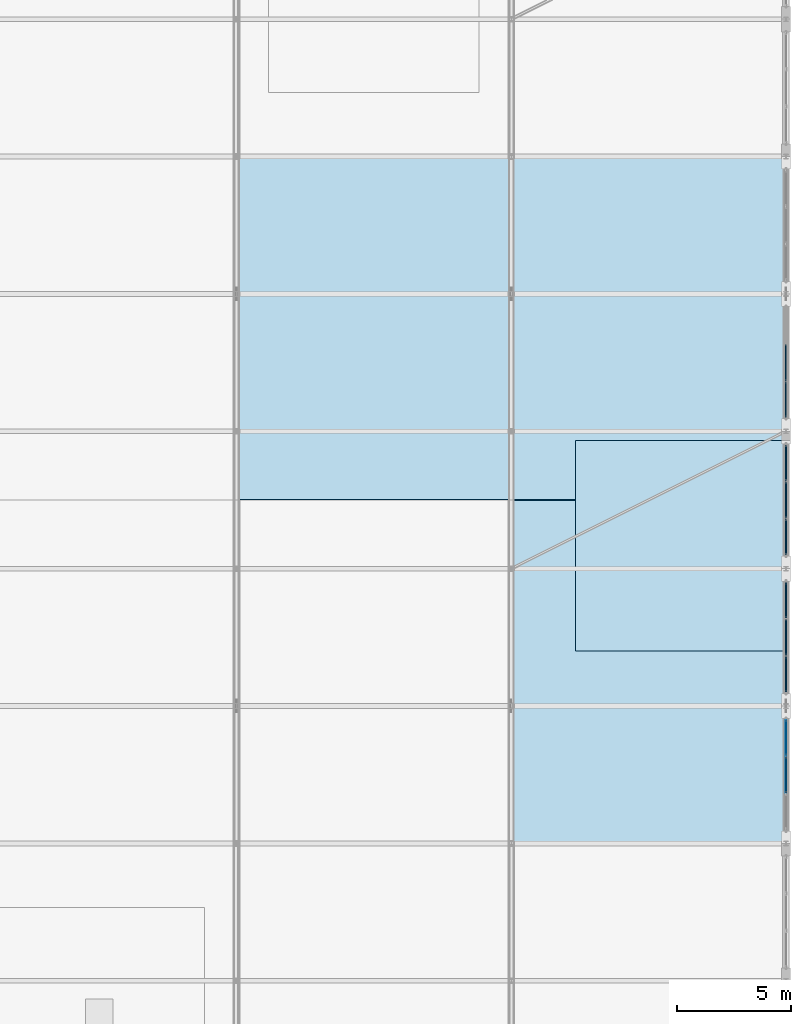
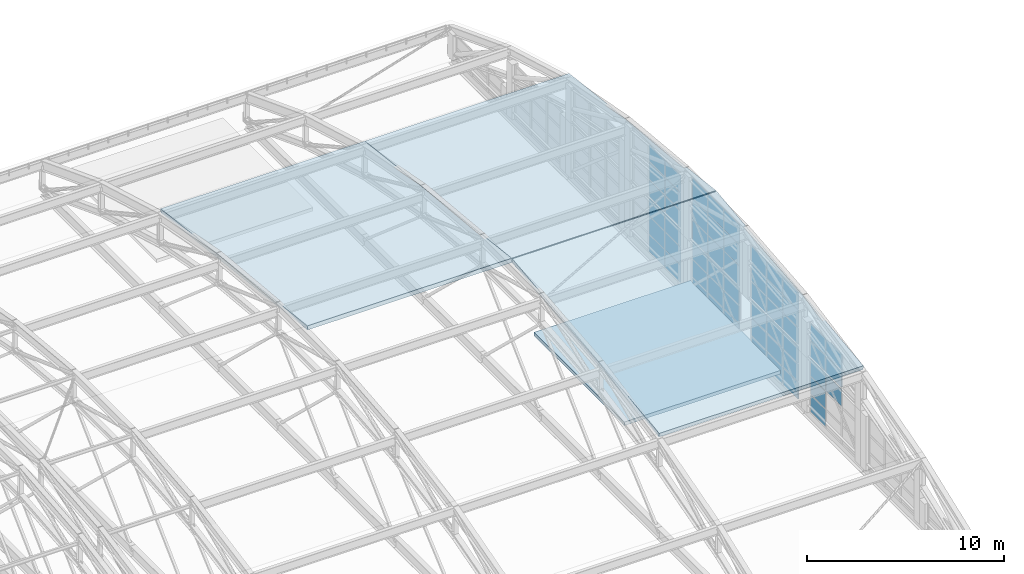
# One storey, part 164 of 204: 56 plates, 4 slabs, 9 elements without a shape of their own.
"""IFC4 building model written with IfcOpenShell, lengths in metres."""

import ifcopenshell
import ifcopenshell.guid

model = None  # the IFC model being written
_history = None  # IfcOwnerHistory: only IFC2X3 demands one
_inside = {}  # id of a spatial element -> (the spatial element, [elements in it])
_under = {}  # id of a project, library or spatial element -> (it, [spatial elements below it])
_declared = {}  # id of a project -> (the project, [libraries it declares])
_typed = {}  # id of a type object -> (the type object, [elements of that type])
_made_of = {}  # id of a material, layer set ... -> (it, [elements and type objects made of it])


def new_model(schema):
    """Start an empty IFC model of exactly this schema.

    Asked for "IFC4X3", IfcOpenShell would pick the latest addendum, in which some entities
    have other attributes; the version numbers below select the first issue.
    IFC2X3 requires an IfcOwnerHistory on every rooted entity: one is made here for all.
    """
    global model, _history
    if schema == "IFC4X3":
        model = ifcopenshell.file(schema_version=(4, 3, 0, 0))
    else:
        model = ifcopenshell.file(schema=schema)
    _inside.clear()
    _under.clear()
    _declared.clear()
    _typed.clear()
    _made_of.clear()
    _history = None
    if model.schema == "IFC2X3":
        org = make("IfcOrganization", Name="unknown")
        user = make(
            "IfcPersonAndOrganization",
            ThePerson=make("IfcPerson", FamilyName="unknown"),
            TheOrganization=org,
        )
        app = make(
            "IfcApplication",
            ApplicationDeveloper=org,
            Version="unknown",
            ApplicationFullName="unknown",
            ApplicationIdentifier="unknown",
        )
        _history = make(
            "IfcOwnerHistory",
            OwningUser=user,
            OwningApplication=app,
            ChangeAction="ADDED",
            CreationDate=0,
        )
    return model


def make(cls, **values):
    """One entity of the class cls with the attributes given. An attribute that is None is left unset."""
    return model.create_entity(
        cls, **{name: value for name, value in values.items() if value is not None}
    )


def rooted(cls, **values):
    """An entity with a GlobalId (a new one), such as an element, a storey or a relation."""
    return make(cls, GlobalId=ifcopenshell.guid.new(), OwnerHistory=_history, **values)


def si_unit(unit_type, name, prefix=None):
    """IfcSIUnit, for example si_unit("LENGTHUNIT", "METRE", prefix="MILLI")."""
    return make("IfcSIUnit", UnitType=unit_type, Prefix=prefix, Name=name)


def assignment(units):
    """IfcUnitAssignment: the units of a project."""
    return None if units is None else make("IfcUnitAssignment", Units=units)


def point(xyz):
    """IfcCartesianPoint."""
    return None if xyz is None else make("IfcCartesianPoint", Coordinates=xyz)


def direction(xyz):
    """IfcDirection."""
    return None if xyz is None else make("IfcDirection", DirectionRatios=xyz)


def frame(location, z_axis=None, x_axis=None):
    """IfcAxis2Placement3D, a coordinate frame: its origin and axes. An axis left out is left unset."""
    return make(
        "IfcAxis2Placement3D",
        Location=point(location),
        Axis=direction(z_axis),
        RefDirection=direction(x_axis),
    )


def frame_2d(location, x_axis=None):
    """IfcAxis2Placement2D, a coordinate frame in the plane: its origin and x axis."""
    return make(
        "IfcAxis2Placement2D", Location=point(location), RefDirection=direction(x_axis)
    )


def origin():
    """The frame at (0, 0, 0) with its axes left unset."""
    return frame((0.0, 0.0, 0.0))


def origin_2d():
    """The frame at (0, 0) in the plane with its x axis left unset."""
    return frame_2d((0.0, 0.0))


def place(relative_to, where):
    """IfcLocalPlacement: puts the frame where relative to a parent placement (None: the world)."""
    return make(
        "IfcLocalPlacement", PlacementRelTo=relative_to, RelativePlacement=where
    )


def context(
    kind, dimensions, precision=None, world=None, true_north=None, identifier=None
):
    """IfcGeometricRepresentationContext, for example the 3D "Model" context."""
    return make(
        "IfcGeometricRepresentationContext",
        ContextIdentifier=identifier,
        ContextType=kind,
        CoordinateSpaceDimension=dimensions,
        Precision=precision,
        WorldCoordinateSystem=world,
        TrueNorth=true_north,
    )


def subcontext(parent, identifier, kind, view, scale=None):
    """IfcGeometricRepresentationSubContext, for example "Body" below "Model"."""
    return make(
        "IfcGeometricRepresentationSubContext",
        ContextIdentifier=identifier,
        ContextType=kind,
        ParentContext=parent,
        TargetScale=scale,
        TargetView=view,
    )


def project(units=None, contexts=None):
    """IfcProject with its units and contexts."""
    return rooted(
        "IfcProject",
        Name="project",
        RepresentationContexts=contexts,
        UnitsInContext=assignment(units),
    )


def spatial(cls, under=None, at=None, **own):
    """A site, building, storey or space (cls), placed at a placement, below another one or the project."""
    s = rooted(cls, ObjectPlacement=at, **own)
    if under is not None:
        _under.setdefault(under.id(), (under, []))[1].append(s)
    return s


def polyline(points):
    """IfcPolyline through the points."""
    return make("IfcPolyline", Points=[point(p) for p in points])


def profile(cls, at=None, kind="AREA", **sizes):
    """A parametric profile (cls). Its sizes go by their IFC names, for example OverallWidth=200.0."""
    return make(cls, ProfileType=kind, Position=at, **sizes)


def rectangle(**sizes):
    """IfcRectangleProfileDef."""
    return profile("IfcRectangleProfileDef", **sizes)


def outline(outer, holes=None, kind="AREA"):
    """IfcArbitraryClosedProfileDef: a profile drawn as a closed curve; with holes, ...WithVoids."""
    if holes is None:
        return make("IfcArbitraryClosedProfileDef", ProfileType=kind, OuterCurve=outer)
    return make(
        "IfcArbitraryProfileDefWithVoids",
        ProfileType=kind,
        OuterCurve=outer,
        InnerCurves=holes,
    )


def extrude(swept, where, along, depth):
    """IfcExtrudedAreaSolid: the profile swept, set in the frame where, extruded along a direction by depth."""
    return make(
        "IfcExtrudedAreaSolid",
        SweptArea=swept,
        Position=where,
        ExtrudedDirection=direction(along),
        Depth=depth,
    )


def shape(context_of_items, identifier, shape_type, items):
    """IfcShapeRepresentation: the items that make up one representation, for example the "Body"."""
    return make(
        "IfcShapeRepresentation",
        ContextOfItems=context_of_items,
        RepresentationIdentifier=identifier,
        RepresentationType=shape_type,
        Items=items,
    )


def material(Name=None, Category=None):
    """IfcMaterial."""
    return make("IfcMaterial", Name=Name, Category=Category)


def layer(
    of_material, thickness, ventilated=None, Name=None, Category=None, Priority=None
):
    """IfcMaterialLayer: one layer of a wall or slab, of a material (None: an air gap)."""
    return make(
        "IfcMaterialLayer",
        Material=of_material,
        LayerThickness=thickness,
        IsVentilated=ventilated,
        Name=Name,
        Category=Category,
        Priority=Priority,
    )


def layer_set(layers, Name=None):
    """IfcMaterialLayerSet."""
    return make("IfcMaterialLayerSet", MaterialLayers=layers, LayerSetName=Name)


def made_of(thing, what):
    """Note that an element or type object is made of a material, layer set ...; save() writes the relation."""
    if what is not None:
        _made_of.setdefault(what.id(), (what, []))[1].append(thing)
    return thing


def type_object(cls, material=None, **own):
    """A type object (cls), such as IfcWallType, which elements share."""
    return made_of(rooted(cls, **own), material)


def element(
    cls,
    number,
    at=None,
    inside=None,
    cuts=None,
    type_object=None,
    material=None,
    context=None,
    identifier="Body",
    shape_type=None,
    held_by="IfcProductDefinitionShape",
    body=None,
    shapes=None,
    **own,
):
    """One element of the class cls, such as IfcWall. Its Tag is "e" and its number.

    at: its placement. inside: the storey or other place that contains it. cuts: it is an
    opening in that element (IfcRelVoidsElement). A single representation is given by context,
    identifier, shape_type and body (its items); several are given by shapes. held_by: the class
    of the entity that holds the representations. save() writes the other relations.
    """
    e = rooted(cls, Tag="e%d" % number, ObjectPlacement=at, **own)
    if body is not None:
        shapes = [shape(context, identifier, shape_type, body)]
    if shapes is not None:
        e.Representation = make(held_by, Representations=shapes)
    if inside is not None:
        _inside.setdefault(inside.id(), (inside, []))[1].append(e)
    if cuts is not None:
        rooted(
            "IfcRelVoidsElement", RelatingBuildingElement=cuts, RelatedOpeningElement=e
        )
    if type_object is not None:
        _typed.setdefault(type_object.id(), (type_object, []))[1].append(e)
    return made_of(e, material)


def aggregate(whole, parts):
    """IfcRelAggregates: a whole, such as a stair, and the parts it consists of."""
    return rooted("IfcRelAggregates", RelatingObject=whole, RelatedObjects=parts)


def save(model, path):
    """Write the relations noted so far, then the file.

    IfcRelAggregates (storeys below a building ...), IfcRelContainedInSpatialStructure (elements
    in a storey), IfcRelDefinesByType, IfcRelAssociatesMaterial and IfcRelDeclares: one each for
    every whole, place, type object, material and project.
    """
    for whole, parts in _under.values():
        aggregate(whole, parts)
    for where, things in _inside.values():
        rooted(
            "IfcRelContainedInSpatialStructure",
            RelatedElements=things,
            RelatingStructure=where,
        )
    for kind, things in _typed.values():
        rooted("IfcRelDefinesByType", RelatedObjects=things, RelatingType=kind)
    for what, things in _made_of.values():
        rooted("IfcRelAssociatesMaterial", RelatedObjects=things, RelatingMaterial=what)
    for by, libraries in _declared.values():
        rooted("IfcRelDeclares", RelatingContext=by, RelatedDefinitions=libraries)
    model.write(path)


model = new_model("IFC4")

# Units and contexts
model_context = context("Model", 3, precision=1e-05, world=origin(), true_north=direction((0.0, 1.0)))
body_context = subcontext(model_context, "Body", "Model", "MODEL_VIEW")
ifc_project = project(units=[si_unit("LENGTHUNIT", "METRE"), si_unit("AREAUNIT", "SQUARE_METRE"), si_unit("VOLUMEUNIT", "CUBIC_METRE"), si_unit("PLANEANGLEUNIT", "RADIAN"), si_unit("MASSUNIT", "GRAM", prefix="KILO")], contexts=[model_context])

# Site, building, storey
site_placement = place(None, origin())
site = spatial("IfcSite", under=ifc_project, at=site_placement, CompositionType="ELEMENT")
building_placement = place(site_placement, origin())
building = spatial("IfcBuilding", under=site, at=building_placement, Name="Zilviju Railside Exhibition Hall", CompositionType="ELEMENT")
storey_placement = place(building_placement, frame((0.0, 0.0, 21.0)))
storey = spatial("IfcBuildingStorey", under=building, at=storey_placement, Name="RF", CompositionType="ELEMENT", Elevation=21.0)

# Curtain wall, plates
ifc_material_1 = material(Name="Thermally broken aluminium-steel triple-glazed curtain wall", Category="steel")
ifc_layer_1 = layer(ifc_material_1, 0.179931640625)
ifc_layer_set_1 = layer_set([ifc_layer_1], Name="Thermally broken aluminium-steel triple-glazed curtain wall")
curtain_wall_type_1 = type_object("IfcCurtainWallType", Name="CW-BAY-15", PredefinedType="USERDEFINED", material=ifc_layer_set_1)
curtain_wall_1_placement = place(storey_placement, origin())
curtain_wall_1 = element("IfcCurtainWall", 1, at=curtain_wall_1_placement, inside=storey, type_object=curtain_wall_type_1, Name="North Hall Arch Lower Tympanum Glazing East P3", ObjectType="GLAZED CURTAIN WALL", PredefinedType="USERDEFINED")
ifc_material_2 = material(Name="Laminated acoustic double-glazed porch unit", Category="glass")
ifc_layer_2 = layer(ifc_material_2, 0.031982421875)
ifc_layer_set_2 = layer_set([ifc_layer_2], Name="Laminated acoustic double-glazed porch unit")
plate_type_1 = type_object("IfcPlateType", Name="CWP-IGU-32", PredefinedType="CURTAIN_PANEL", material=ifc_layer_set_2)
plate_1_placement = place(storey_placement, frame((216.0, 100.618408203125, -3.5400390625), z_axis=(0.0, 0.0, 1.0), x_axis=(0.0, -1.0, 0.0)))
plate_1 = element("IfcPlate", 2, at=plate_1_placement, type_object=plate_type_1, Name="CW-15 panel 1.1", PredefinedType="CURTAIN_PANEL", context=body_context, shape_type="SweptSolid", body=[
    extrude(rectangle(XDim=1.543212890625, YDim=0.031982421875, at=origin_2d()), origin(), (0.0, 0.0, 1.0), 1.04296875),
])
plate_2_placement = place(storey_placement, frame((216.0, 100.618408203125, -2.43701171875), z_axis=(0.0, 0.0, 1.0), x_axis=(0.0, -1.0, 0.0)))
plate_2 = element("IfcPlate", 3, at=plate_2_placement, type_object=plate_type_1, Name="CW-15 panel 1.2", PredefinedType="CURTAIN_PANEL", context=body_context, shape_type="SweptSolid", body=[
    extrude(rectangle(XDim=1.543212890625, YDim=0.031982421875, at=origin_2d()), origin(), (0.0, 0.0, 1.0), 1.073974609375),
])
plate_3_placement = place(storey_placement, frame((216.0, 100.618408203125, -1.302978515625), z_axis=(0.0, 0.0, 1.0), x_axis=(0.0, -1.0, 0.0)))
plate_3 = element("IfcPlate", 4, at=plate_3_placement, type_object=plate_type_1, Name="CW-15 panel 1.3", PredefinedType="CURTAIN_PANEL", context=body_context, shape_type="SweptSolid", body=[
    extrude(rectangle(XDim=1.543212890625, YDim=0.031982421875, at=origin_2d()), origin(), (0.0, 0.0, 1.0), 1.04296875),
])
plate_4_placement = place(storey_placement, frame((216.0, 99.0, -1.302978515625), z_axis=(0.0, 0.0, 1.0), x_axis=(0.0, -1.0, 0.0)))
plate_4 = element("IfcPlate", 5, at=plate_4_placement, type_object=plate_type_1, Name="CW-15 panel 2.3", PredefinedType="CURTAIN_PANEL", context=body_context, shape_type="SweptSolid", body=[
    extrude(rectangle(XDim=1.5732421875, YDim=0.031982421875, at=origin_2d()), origin(), (0.0, 0.0, 1.0), 1.04296875),
])
aggregate(curtain_wall_1, [plate_1, plate_2, plate_3, plate_4])

ifc_layer_3 = layer(ifc_material_1, 0.179931640625)
ifc_layer_set_3 = layer_set([ifc_layer_3], Name="Thermally broken aluminium-steel triple-glazed curtain wall")
curtain_wall_type_2 = type_object("IfcCurtainWallType", Name="CW-BAY-18", PredefinedType="USERDEFINED", material=ifc_layer_set_3)
curtain_wall_2_placement = place(storey_placement, origin())
curtain_wall_2 = element("IfcCurtainWall", 6, at=curtain_wall_2_placement, inside=storey, type_object=curtain_wall_type_2, Name="North Hall Arch Lower Tympanum Glazing East P6", ObjectType="GLAZED CURTAIN WALL", PredefinedType="USERDEFINED")
ifc_material_3 = material(Name="Triple-glazed low-E argon insulating glass unit", Category="glass")
ifc_layer_4 = layer(ifc_material_3, 0.0439453125)
ifc_layer_set_4 = layer_set([ifc_layer_4], Name="Triple-glazed low-E argon insulating glass unit")
plate_type_2 = type_object("IfcPlateType", Name="CWP-IGU-44", PredefinedType="CURTAIN_PANEL", material=ifc_layer_set_4)
plate_5_placement = place(storey_placement, frame((216.0, 117.0, -3.544921875), z_axis=(0.0, 0.0, 1.0), x_axis=(0.0, -1.0, 0.0)))
plate_5 = element("IfcPlate", 7, at=plate_5_placement, type_object=plate_type_2, Name="CW-18 panel 2.1", PredefinedType="CURTAIN_PANEL", context=body_context, shape_type="SweptSolid", body=[
    extrude(rectangle(XDim=1.578369140625, YDim=0.0439453125, at=origin_2d()), origin(), (0.0, 0.0, 1.0), 1.050537109375),
])
plate_6_placement = place(storey_placement, frame((216.0, 117.0, -2.439453125), z_axis=(0.0, 0.0, 1.0), x_axis=(0.0, -1.0, 0.0)))
plate_6 = element("IfcPlate", 8, at=plate_6_placement, type_object=plate_type_2, Name="CW-18 panel 2.2", PredefinedType="CURTAIN_PANEL", context=body_context, shape_type="SweptSolid", body=[
    extrude(rectangle(XDim=1.578369140625, YDim=0.0439453125, at=origin_2d()), origin(), (0.0, 0.0, 1.0), 1.0791015625),
])
plate_7_placement = place(storey_placement, frame((216.0, 117.0, -1.3056640625), z_axis=(0.0, 0.0, 1.0), x_axis=(0.0, -1.0, 0.0)))
plate_7 = element("IfcPlate", 9, at=plate_7_placement, type_object=plate_type_2, Name="CW-18 panel 2.3", PredefinedType="CURTAIN_PANEL", context=body_context, shape_type="SweptSolid", body=[
    extrude(rectangle(XDim=1.578369140625, YDim=0.0439453125, at=origin_2d()), origin(), (0.0, 0.0, 1.0), 1.050537109375),
])
plate_8_placement = place(storey_placement, frame((216.0, 115.38037109375, -3.544921875), z_axis=(0.0, 0.0, 1.0), x_axis=(0.0, -1.0, 0.0)))
plate_8 = element("IfcPlate", 10, at=plate_8_placement, type_object=plate_type_2, Name="CW-18 panel 3.1", PredefinedType="CURTAIN_PANEL", context=body_context, shape_type="SweptSolid", body=[
    extrude(rectangle(XDim=1.55078125, YDim=0.0439453125, at=origin_2d()), origin(), (0.0, 0.0, 1.0), 1.050537109375),
])
plate_9_placement = place(storey_placement, frame((216.0, 115.38037109375, -2.439453125), z_axis=(0.0, 0.0, 1.0), x_axis=(0.0, -1.0, 0.0)))
plate_9 = element("IfcPlate", 11, at=plate_9_placement, type_object=plate_type_2, Name="CW-18 panel 3.2", PredefinedType="CURTAIN_PANEL", context=body_context, shape_type="SweptSolid", body=[
    extrude(rectangle(XDim=1.55078125, YDim=0.0439453125, at=origin_2d()), origin(), (0.0, 0.0, 1.0), 1.0791015625),
])
plate_10_placement = place(storey_placement, frame((216.0, 115.38037109375, -1.3056640625), z_axis=(0.0, 0.0, 1.0), x_axis=(0.0, -1.0, 0.0)))
plate_10 = element("IfcPlate", 12, at=plate_10_placement, type_object=plate_type_2, Name="CW-18 panel 3.3", PredefinedType="CURTAIN_PANEL", context=body_context, shape_type="SweptSolid", body=[
    extrude(rectangle(XDim=1.55078125, YDim=0.0439453125, at=origin_2d()), origin(), (0.0, 0.0, 1.0), 1.050537109375),
])
aggregate(curtain_wall_2, [plate_5, plate_6, plate_7, plate_8, plate_9, plate_10])

ifc_layer_5 = layer(ifc_material_1, 0.179931640625)
ifc_layer_set_5 = layer_set([ifc_layer_5], Name="Thermally broken aluminium-steel triple-glazed curtain wall")
curtain_wall_type_3 = type_object("IfcCurtainWallType", Name="CW-BAY-04", PredefinedType="USERDEFINED", material=ifc_layer_set_5)
curtain_wall_3_placement = place(storey_placement, origin())
curtain_wall_3 = element("IfcCurtainWall", 13, at=curtain_wall_3_placement, inside=storey, type_object=curtain_wall_type_3, Name="North Hall Crown Arch Tympanum Glazing East P5", ObjectType="GLAZED CURTAIN WALL", PredefinedType="USERDEFINED")
plate_11_placement = place(storey_placement, frame((216.0, 112.61962890625, -0.14501953125), z_axis=(0.0, 0.0, 1.0), x_axis=(0.0, -1.0, 0.0)))
plate_11 = element("IfcPlate", 14, at=plate_11_placement, type_object=plate_type_2, Name="CW-04 panel 1.1", PredefinedType="CURTAIN_PANEL", context=body_context, shape_type="SweptSolid", body=[
    extrude(rectangle(XDim=1.55078125, YDim=0.0439453125, at=origin_2d()), origin(), (0.0, 0.0, 1.0), 1.2265625),
])
plate_12_placement = place(storey_placement, frame((216.0, 112.61962890625, 1.136474609375), z_axis=(0.0, 0.0, 1.0), x_axis=(0.0, -1.0, 0.0)))
plate_12 = element("IfcPlate", 15, at=plate_12_placement, type_object=plate_type_2, Name="CW-04 panel 1.2", PredefinedType="CURTAIN_PANEL", context=body_context, shape_type="SweptSolid", body=[
    extrude(rectangle(XDim=1.55078125, YDim=0.0439453125, at=origin_2d()), origin(), (0.0, 0.0, 1.0), 1.2548828125),
])
plate_13_placement = place(storey_placement, frame((216.0, 112.61962890625, 2.44677734375), z_axis=(0.0, 0.0, 1.0), x_axis=(0.0, -1.0, 0.0)))
plate_13 = element("IfcPlate", 16, at=plate_13_placement, type_object=plate_type_2, Name="CW-04 panel 1.3", PredefinedType="CURTAIN_PANEL", context=body_context, shape_type="SweptSolid", body=[
    extrude(rectangle(XDim=1.55078125, YDim=0.0439453125, at=origin_2d()), origin(), (0.0, 0.0, 1.0), 1.226806640625),
])
plate_14_placement = place(storey_placement, frame((216.0, 111.0, -0.14501953125), z_axis=(0.0, 0.0, 1.0), x_axis=(0.0, -1.0, 0.0)))
plate_14 = element("IfcPlate", 17, at=plate_14_placement, type_object=plate_type_2, Name="CW-04 panel 2.1", PredefinedType="CURTAIN_PANEL", context=body_context, shape_type="SweptSolid", body=[
    extrude(rectangle(XDim=1.578369140625, YDim=0.0439453125, at=origin_2d()), origin(), (0.0, 0.0, 1.0), 1.2265625),
])
plate_15_placement = place(storey_placement, frame((216.0, 111.0, 1.136474609375), z_axis=(0.0, 0.0, 1.0), x_axis=(0.0, -1.0, 0.0)))
plate_15 = element("IfcPlate", 18, at=plate_15_placement, type_object=plate_type_2, Name="CW-04 panel 2.2", PredefinedType="CURTAIN_PANEL", context=body_context, shape_type="SweptSolid", body=[
    extrude(rectangle(XDim=1.578369140625, YDim=0.0439453125, at=origin_2d()), origin(), (0.0, 0.0, 1.0), 1.2548828125),
])
plate_16_placement = place(storey_placement, frame((216.0, 111.0, 2.44677734375), z_axis=(0.0, 0.0, 1.0), x_axis=(0.0, -1.0, 0.0)))
plate_16 = element("IfcPlate", 19, at=plate_16_placement, type_object=plate_type_2, Name="CW-04 panel 2.3", PredefinedType="CURTAIN_PANEL", context=body_context, shape_type="SweptSolid", body=[
    extrude(rectangle(XDim=1.578369140625, YDim=0.0439453125, at=origin_2d()), origin(), (0.0, 0.0, 1.0), 1.226806640625),
])
plate_17_placement = place(storey_placement, frame((216.0, 109.38037109375, -0.14501953125), z_axis=(0.0, 0.0, 1.0), x_axis=(0.0, -1.0, 0.0)))
plate_17 = element("IfcPlate", 20, at=plate_17_placement, type_object=plate_type_2, Name="CW-04 panel 3.1", PredefinedType="CURTAIN_PANEL", context=body_context, shape_type="SweptSolid", body=[
    extrude(rectangle(XDim=1.55078125, YDim=0.0439453125, at=origin_2d()), origin(), (0.0, 0.0, 1.0), 1.2265625),
])
plate_18_placement = place(storey_placement, frame((216.0, 109.38037109375, 1.136474609375), z_axis=(0.0, 0.0, 1.0), x_axis=(0.0, -1.0, 0.0)))
plate_18 = element("IfcPlate", 21, at=plate_18_placement, type_object=plate_type_2, Name="CW-04 panel 3.2", PredefinedType="CURTAIN_PANEL", context=body_context, shape_type="SweptSolid", body=[
    extrude(rectangle(XDim=1.55078125, YDim=0.0439453125, at=origin_2d()), origin(), (0.0, 0.0, 1.0), 1.2548828125),
])
plate_19_placement = place(storey_placement, frame((216.0, 109.38037109375, 2.44677734375), z_axis=(0.0, 0.0, 1.0), x_axis=(0.0, -1.0, 0.0)))
plate_19 = element("IfcPlate", 22, at=plate_19_placement, type_object=plate_type_2, Name="CW-04 panel 3.3", PredefinedType="CURTAIN_PANEL", context=body_context, shape_type="SweptSolid", body=[
    extrude(rectangle(XDim=1.55078125, YDim=0.0439453125, at=origin_2d()), origin(), (0.0, 0.0, 1.0), 1.226806640625),
])
aggregate(curtain_wall_3, [plate_11, plate_12, plate_13, plate_14, plate_15, plate_16, plate_17, plate_18, plate_19])

ifc_layer_6 = layer(ifc_material_1, 0.179931640625)
ifc_layer_set_6 = layer_set([ifc_layer_6], Name="Thermally broken aluminium-steel triple-glazed curtain wall")
curtain_wall_type_4 = type_object("IfcCurtainWallType", Name="CW-BAY-05", PredefinedType="USERDEFINED", material=ifc_layer_set_6)
curtain_wall_4_placement = place(storey_placement, origin())
curtain_wall_4 = element("IfcCurtainWall", 23, at=curtain_wall_4_placement, inside=storey, type_object=curtain_wall_type_4, Name="North Hall Crown Arch Tympanum Glazing East P6", ObjectType="GLAZED CURTAIN WALL", PredefinedType="USERDEFINED")
plate_20_placement = place(storey_placement, frame((216.0, 117.0, -0.1298828125), z_axis=(0.0, 0.0, 1.0), x_axis=(0.0, -1.0, 0.0)))
plate_20 = element("IfcPlate", 24, at=plate_20_placement, type_object=plate_type_2, Name="CW-05 panel 2.1", PredefinedType="CURTAIN_PANEL", context=body_context, shape_type="SweptSolid", body=[
    extrude(rectangle(XDim=1.563232421875, YDim=0.0439453125, at=origin_2d()), origin(), (0.0, 0.0, 1.0), 1.013916015625),
])
plate_21_placement = place(storey_placement, frame((216.0, 117.0, 0.9541015625), z_axis=(0.0, 0.0, 1.0), x_axis=(0.0, -1.0, 0.0)))
plate_21 = element("IfcPlate", 25, at=plate_21_placement, type_object=plate_type_2, Name="CW-05 panel 2.2", PredefinedType="CURTAIN_PANEL", context=body_context, shape_type="SweptSolid", body=[
    extrude(rectangle(XDim=1.563232421875, YDim=0.0439453125, at=origin_2d()), origin(), (0.0, 0.0, 1.0), 1.048095703125),
])
plate_22_placement = place(storey_placement, frame((216.0, 117.0, 2.072021484375), z_axis=(0.0, 0.0, 1.0), x_axis=(0.0, -1.0, 0.0)))
plate_22 = element("IfcPlate", 26, at=plate_22_placement, type_object=plate_type_2, Name="CW-05 panel 2.3", PredefinedType="CURTAIN_PANEL", context=body_context, shape_type="SweptSolid", body=[
    extrude(rectangle(XDim=1.563232421875, YDim=0.0439453125, at=origin_2d()), origin(), (0.0, 0.0, 1.0), 1.013671875),
])
plate_23_placement = place(storey_placement, frame((216.0, 115.38427734375, -0.1298828125), z_axis=(0.0, 0.0, 1.0), x_axis=(0.0, -1.0, 0.0)))
plate_23 = element("IfcPlate", 27, at=plate_23_placement, type_object=plate_type_2, Name="CW-05 panel 3.1", PredefinedType="CURTAIN_PANEL", context=body_context, shape_type="SweptSolid", body=[
    extrude(rectangle(XDim=1.5283203125, YDim=0.0439453125, at=origin_2d()), origin(), (0.0, 0.0, 1.0), 1.013916015625),
])
plate_24_placement = place(storey_placement, frame((216.0, 115.38427734375, 0.9541015625), z_axis=(0.0, 0.0, 1.0), x_axis=(0.0, -1.0, 0.0)))
plate_24 = element("IfcPlate", 28, at=plate_24_placement, type_object=plate_type_2, Name="CW-05 panel 3.2", PredefinedType="CURTAIN_PANEL", context=body_context, shape_type="SweptSolid", body=[
    extrude(rectangle(XDim=1.5283203125, YDim=0.0439453125, at=origin_2d()), origin(), (0.0, 0.0, 1.0), 1.048095703125),
])
plate_25_placement = place(storey_placement, frame((216.0, 115.38427734375, 2.072021484375), z_axis=(0.0, 0.0, 1.0), x_axis=(0.0, -1.0, 0.0)))
plate_25 = element("IfcPlate", 29, at=plate_25_placement, type_object=plate_type_2, Name="CW-05 panel 3.3", PredefinedType="CURTAIN_PANEL", context=body_context, shape_type="SweptSolid", body=[
    extrude(rectangle(XDim=1.5283203125, YDim=0.0439453125, at=origin_2d()), origin(), (0.0, 0.0, 1.0), 1.013671875),
])
aggregate(curtain_wall_4, [plate_20, plate_21, plate_22, plate_23, plate_24, plate_25])

ifc_layer_7 = layer(ifc_material_1, 0.179931640625)
ifc_layer_set_7 = layer_set([ifc_layer_7], Name="Thermally broken aluminium-steel triple-glazed curtain wall")
curtain_wall_type_5 = type_object("IfcCurtainWallType", Name="CW-BAY-16", PredefinedType="USERDEFINED", material=ifc_layer_set_7)
curtain_wall_5_placement = place(storey_placement, origin())
curtain_wall_5 = element("IfcCurtainWall", 30, at=curtain_wall_5_placement, inside=storey, type_object=curtain_wall_type_5, Name="North Hall Arch Lower Tympanum Glazing East P4", ObjectType="GLAZED CURTAIN WALL", PredefinedType="USERDEFINED")
ifc_material_4 = material(Name="Insulated cobalt-blue enamelled spandrel glass panel", Category="glass")
ifc_layer_8 = layer(ifc_material_4, 0.052001953125)
ifc_layer_set_8 = layer_set([ifc_layer_8], Name="Insulated cobalt-blue enamelled spandrel glass panel")
plate_type_3 = type_object("IfcPlateType", Name="CWP-SPD-52", PredefinedType="CURTAIN_PANEL", material=ifc_layer_set_8)
plate_26_placement = place(storey_placement, frame((216.0, 106.61328125, -3.52001953125), z_axis=(0.0, 0.0, 1.0), x_axis=(0.0, -1.0, 0.0)))
plate_26 = element("IfcPlate", 31, at=plate_26_placement, type_object=plate_type_3, Name="CW-16 panel 1.1", PredefinedType="CURTAIN_PANEL", context=body_context, shape_type="SweptSolid", body=[
    extrude(rectangle(XDim=1.513427734375, YDim=0.052001953125, at=origin_2d()), origin(), (0.0, 0.0, 1.0), 1.012939453125),
])
plate_27_placement = place(storey_placement, frame((216.0, 106.61328125, -2.4267578125), z_axis=(0.0, 0.0, 1.0), x_axis=(0.0, -1.0, 0.0)))
plate_27 = element("IfcPlate", 32, at=plate_27_placement, type_object=plate_type_3, Name="CW-16 panel 1.2", PredefinedType="CURTAIN_PANEL", context=body_context, shape_type="SweptSolid", body=[
    extrude(rectangle(XDim=1.513427734375, YDim=0.052001953125, at=origin_2d()), origin(), (0.0, 0.0, 1.0), 1.053955078125),
])
plate_28_placement = place(storey_placement, frame((216.0, 106.61328125, -1.29296875), z_axis=(0.0, 0.0, 1.0), x_axis=(0.0, -1.0, 0.0)))
plate_28 = element("IfcPlate", 33, at=plate_28_placement, type_object=plate_type_3, Name="CW-16 panel 1.3", PredefinedType="CURTAIN_PANEL", context=body_context, shape_type="SweptSolid", body=[
    extrude(rectangle(XDim=1.513427734375, YDim=0.052001953125, at=origin_2d()), origin(), (0.0, 0.0, 1.0), 1.012939453125),
])
plate_29_placement = place(storey_placement, frame((216.0, 105.0, -3.52001953125), z_axis=(0.0, 0.0, 1.0), x_axis=(0.0, -1.0, 0.0)))
plate_29 = element("IfcPlate", 34, at=plate_29_placement, type_object=plate_type_3, Name="CW-16 panel 2.1", PredefinedType="CURTAIN_PANEL", context=body_context, shape_type="SweptSolid", body=[
    extrude(rectangle(XDim=1.55322265625, YDim=0.052001953125, at=origin_2d()), origin(), (0.0, 0.0, 1.0), 1.012939453125),
])
plate_30_placement = place(storey_placement, frame((216.0, 105.0, -2.4267578125), z_axis=(0.0, 0.0, 1.0), x_axis=(0.0, -1.0, 0.0)))
plate_30 = element("IfcPlate", 35, at=plate_30_placement, type_object=plate_type_3, Name="CW-16 panel 2.2", PredefinedType="CURTAIN_PANEL", context=body_context, shape_type="SweptSolid", body=[
    extrude(rectangle(XDim=1.55322265625, YDim=0.052001953125, at=origin_2d()), origin(), (0.0, 0.0, 1.0), 1.053955078125),
])
plate_31_placement = place(storey_placement, frame((216.0, 105.0, -1.29296875), z_axis=(0.0, 0.0, 1.0), x_axis=(0.0, -1.0, 0.0)))
plate_31 = element("IfcPlate", 36, at=plate_31_placement, type_object=plate_type_3, Name="CW-16 panel 2.3", PredefinedType="CURTAIN_PANEL", context=body_context, shape_type="SweptSolid", body=[
    extrude(rectangle(XDim=1.55322265625, YDim=0.052001953125, at=origin_2d()), origin(), (0.0, 0.0, 1.0), 1.012939453125),
])
plate_32_placement = place(storey_placement, frame((216.0, 103.38671875, -3.52001953125), z_axis=(0.0, 0.0, 1.0), x_axis=(0.0, -1.0, 0.0)))
plate_32 = element("IfcPlate", 37, at=plate_32_placement, type_object=plate_type_3, Name="CW-16 panel 3.1", PredefinedType="CURTAIN_PANEL", context=body_context, shape_type="SweptSolid", body=[
    extrude(rectangle(XDim=1.513427734375, YDim=0.052001953125, at=origin_2d()), origin(), (0.0, 0.0, 1.0), 1.012939453125),
])
plate_33_placement = place(storey_placement, frame((216.0, 103.38671875, -2.4267578125), z_axis=(0.0, 0.0, 1.0), x_axis=(0.0, -1.0, 0.0)))
plate_33 = element("IfcPlate", 38, at=plate_33_placement, type_object=plate_type_3, Name="CW-16 panel 3.2", PredefinedType="CURTAIN_PANEL", context=body_context, shape_type="SweptSolid", body=[
    extrude(rectangle(XDim=1.513427734375, YDim=0.052001953125, at=origin_2d()), origin(), (0.0, 0.0, 1.0), 1.053955078125),
])
plate_34_placement = place(storey_placement, frame((216.0, 103.38671875, -1.29296875), z_axis=(0.0, 0.0, 1.0), x_axis=(0.0, -1.0, 0.0)))
plate_34 = element("IfcPlate", 39, at=plate_34_placement, type_object=plate_type_3, Name="CW-16 panel 3.3", PredefinedType="CURTAIN_PANEL", context=body_context, shape_type="SweptSolid", body=[
    extrude(rectangle(XDim=1.513427734375, YDim=0.052001953125, at=origin_2d()), origin(), (0.0, 0.0, 1.0), 1.012939453125),
])
aggregate(curtain_wall_5, [plate_26, plate_27, plate_28, plate_29, plate_30, plate_31, plate_32, plate_33, plate_34])

ifc_layer_9 = layer(ifc_material_1, 0.179931640625)
ifc_layer_set_9 = layer_set([ifc_layer_9], Name="Thermally broken aluminium-steel triple-glazed curtain wall")
curtain_wall_type_6 = type_object("IfcCurtainWallType", Name="CW-BAY-02", PredefinedType="USERDEFINED", material=ifc_layer_set_9)
curtain_wall_6_placement = place(storey_placement, origin())
curtain_wall_6 = element("IfcCurtainWall", 40, at=curtain_wall_6_placement, inside=storey, type_object=curtain_wall_type_6, Name="North Hall Crown Arch Tympanum Glazing East P3", ObjectType="GLAZED CURTAIN WALL", PredefinedType="USERDEFINED")
plate_35_placement = place(storey_placement, frame((216.0, 100.61328125, -0.1201171875), z_axis=(0.0, 0.0, 1.0), x_axis=(0.0, -1.0, 0.0)))
plate_35 = element("IfcPlate", 41, at=plate_35_placement, type_object=plate_type_3, Name="CW-02 panel 1.1", PredefinedType="CURTAIN_PANEL", context=body_context, shape_type="SweptSolid", body=[
    extrude(rectangle(XDim=1.513427734375, YDim=0.052001953125, at=origin_2d()), origin(), (0.0, 0.0, 1.0), 0.985107421875),
])
plate_36_placement = place(storey_placement, frame((216.0, 100.61328125, 0.945068359375), z_axis=(0.0, 0.0, 1.0), x_axis=(0.0, -1.0, 0.0)))
plate_36 = element("IfcPlate", 42, at=plate_36_placement, type_object=plate_type_3, Name="CW-02 panel 1.2", PredefinedType="CURTAIN_PANEL", context=body_context, shape_type="SweptSolid", body=[
    extrude(rectangle(XDim=1.513427734375, YDim=0.052001953125, at=origin_2d()), origin(), (0.0, 0.0, 1.0), 0.98486328125),
])
plate_37_placement = place(storey_placement, frame((216.0, 99.0, -0.1201171875), z_axis=(0.0, 0.0, 1.0), x_axis=(0.0, -1.0, 0.0)))
plate_37 = element("IfcPlate", 43, at=plate_37_placement, type_object=plate_type_3, Name="CW-02 panel 2.1", PredefinedType="CURTAIN_PANEL", context=body_context, shape_type="SweptSolid", body=[
    extrude(rectangle(XDim=1.55322265625, YDim=0.052001953125, at=origin_2d()), origin(), (0.0, 0.0, 1.0), 0.985107421875),
])
plate_38_placement = place(storey_placement, frame((216.0, 99.0, 0.945068359375), z_axis=(0.0, 0.0, 1.0), x_axis=(0.0, -1.0, 0.0)))
plate_38 = element("IfcPlate", 44, at=plate_38_placement, type_object=plate_type_3, Name="CW-02 panel 2.2", PredefinedType="CURTAIN_PANEL", context=body_context, shape_type="SweptSolid", body=[
    extrude(rectangle(XDim=1.55322265625, YDim=0.052001953125, at=origin_2d()), origin(), (0.0, 0.0, 1.0), 0.98486328125),
])
aggregate(curtain_wall_6, [plate_35, plate_36, plate_37, plate_38])

ifc_layer_10 = layer(ifc_material_1, 0.179931640625)
ifc_layer_set_10 = layer_set([ifc_layer_10], Name="Thermally broken aluminium-steel triple-glazed curtain wall")
curtain_wall_type_7 = type_object("IfcCurtainWallType", Name="CW-BAY-17", PredefinedType="USERDEFINED", material=ifc_layer_set_10)
curtain_wall_7_placement = place(storey_placement, origin())
curtain_wall_7 = element("IfcCurtainWall", 45, at=curtain_wall_7_placement, inside=storey, type_object=curtain_wall_type_7, Name="North Hall Arch Lower Tympanum Glazing East P5", ObjectType="GLAZED CURTAIN WALL", PredefinedType="USERDEFINED")
ifc_material_5 = material(Name="Insulated emerald ceramic-frit spandrel panel", Category="glass")
ifc_layer_11 = layer(ifc_material_5, 0.06396484375)
ifc_layer_set_11 = layer_set([ifc_layer_11], Name="Insulated emerald ceramic-frit spandrel panel")
plate_type_4 = type_object("IfcPlateType", Name="CWP-SPD-64", PredefinedType="CURTAIN_PANEL", material=ifc_layer_set_11)
plate_39_placement = place(storey_placement, frame((216.0, 112.614501953125, -3.52490234375), z_axis=(0.0, 0.0, 1.0), x_axis=(0.0, -1.0, 0.0)))
plate_39 = element("IfcPlate", 46, at=plate_39_placement, type_object=plate_type_4, Name="CW-17 panel 1.1", PredefinedType="CURTAIN_PANEL", context=body_context, shape_type="SweptSolid", body=[
    extrude(rectangle(XDim=1.520751953125, YDim=0.06396484375, at=origin_2d()), origin(), (0.0, 0.0, 1.0), 1.0205078125),
])
plate_40_placement = place(storey_placement, frame((216.0, 112.614501953125, -2.429443359375), z_axis=(0.0, 0.0, 1.0), x_axis=(0.0, -1.0, 0.0)))
plate_40 = element("IfcPlate", 47, at=plate_40_placement, type_object=plate_type_4, Name="CW-17 panel 1.2", PredefinedType="CURTAIN_PANEL", context=body_context, shape_type="SweptSolid", body=[
    extrude(rectangle(XDim=1.520751953125, YDim=0.06396484375, at=origin_2d()), origin(), (0.0, 0.0, 1.0), 1.05908203125),
])
plate_41_placement = place(storey_placement, frame((216.0, 112.614501953125, -1.29541015625), z_axis=(0.0, 0.0, 1.0), x_axis=(0.0, -1.0, 0.0)))
plate_41 = element("IfcPlate", 48, at=plate_41_placement, type_object=plate_type_4, Name="CW-17 panel 1.3", PredefinedType="CURTAIN_PANEL", context=body_context, shape_type="SweptSolid", body=[
    extrude(rectangle(XDim=1.520751953125, YDim=0.06396484375, at=origin_2d()), origin(), (0.0, 0.0, 1.0), 1.0205078125),
])
plate_42_placement = place(storey_placement, frame((216.0, 111.0, -3.52490234375), z_axis=(0.0, 0.0, 1.0), x_axis=(0.0, -1.0, 0.0)))
plate_42 = element("IfcPlate", 49, at=plate_42_placement, type_object=plate_type_4, Name="CW-17 panel 2.1", PredefinedType="CURTAIN_PANEL", context=body_context, shape_type="SweptSolid", body=[
    extrude(rectangle(XDim=1.558349609375, YDim=0.06396484375, at=origin_2d()), origin(), (0.0, 0.0, 1.0), 1.0205078125),
])
plate_43_placement = place(storey_placement, frame((216.0, 111.0, -2.429443359375), z_axis=(0.0, 0.0, 1.0), x_axis=(0.0, -1.0, 0.0)))
plate_43 = element("IfcPlate", 50, at=plate_43_placement, type_object=plate_type_4, Name="CW-17 panel 2.2", PredefinedType="CURTAIN_PANEL", context=body_context, shape_type="SweptSolid", body=[
    extrude(rectangle(XDim=1.558349609375, YDim=0.06396484375, at=origin_2d()), origin(), (0.0, 0.0, 1.0), 1.05908203125),
])
plate_44_placement = place(storey_placement, frame((216.0, 111.0, -1.29541015625), z_axis=(0.0, 0.0, 1.0), x_axis=(0.0, -1.0, 0.0)))
plate_44 = element("IfcPlate", 51, at=plate_44_placement, type_object=plate_type_4, Name="CW-17 panel 2.3", PredefinedType="CURTAIN_PANEL", context=body_context, shape_type="SweptSolid", body=[
    extrude(rectangle(XDim=1.558349609375, YDim=0.06396484375, at=origin_2d()), origin(), (0.0, 0.0, 1.0), 1.0205078125),
])
plate_45_placement = place(storey_placement, frame((216.0, 109.385498046875, -3.52490234375), z_axis=(0.0, 0.0, 1.0), x_axis=(0.0, -1.0, 0.0)))
plate_45 = element("IfcPlate", 52, at=plate_45_placement, type_object=plate_type_4, Name="CW-17 panel 3.1", PredefinedType="CURTAIN_PANEL", context=body_context, shape_type="SweptSolid", body=[
    extrude(rectangle(XDim=1.520751953125, YDim=0.06396484375, at=origin_2d()), origin(), (0.0, 0.0, 1.0), 1.0205078125),
])
plate_46_placement = place(storey_placement, frame((216.0, 109.385498046875, -2.429443359375), z_axis=(0.0, 0.0, 1.0), x_axis=(0.0, -1.0, 0.0)))
plate_46 = element("IfcPlate", 53, at=plate_46_placement, type_object=plate_type_4, Name="CW-17 panel 3.2", PredefinedType="CURTAIN_PANEL", context=body_context, shape_type="SweptSolid", body=[
    extrude(rectangle(XDim=1.520751953125, YDim=0.06396484375, at=origin_2d()), origin(), (0.0, 0.0, 1.0), 1.05908203125),
])
plate_47_placement = place(storey_placement, frame((216.0, 109.385498046875, -1.29541015625), z_axis=(0.0, 0.0, 1.0), x_axis=(0.0, -1.0, 0.0)))
plate_47 = element("IfcPlate", 54, at=plate_47_placement, type_object=plate_type_4, Name="CW-17 panel 3.3", PredefinedType="CURTAIN_PANEL", context=body_context, shape_type="SweptSolid", body=[
    extrude(rectangle(XDim=1.520751953125, YDim=0.06396484375, at=origin_2d()), origin(), (0.0, 0.0, 1.0), 1.0205078125),
])
aggregate(curtain_wall_7, [plate_39, plate_40, plate_41, plate_42, plate_43, plate_44, plate_45, plate_46, plate_47])

ifc_layer_12 = layer(ifc_material_1, 0.179931640625)
ifc_layer_set_12 = layer_set([ifc_layer_12], Name="Thermally broken aluminium-steel triple-glazed curtain wall")
curtain_wall_type_8 = type_object("IfcCurtainWallType", Name="CW-BAY-03", PredefinedType="USERDEFINED", material=ifc_layer_set_12)
curtain_wall_8_placement = place(storey_placement, origin())
curtain_wall_8 = element("IfcCurtainWall", 55, at=curtain_wall_8_placement, inside=storey, type_object=curtain_wall_type_8, Name="North Hall Crown Arch Tympanum Glazing East P4", ObjectType="GLAZED CURTAIN WALL", PredefinedType="USERDEFINED")
plate_48_placement = place(storey_placement, frame((216.0, 106.614501953125, -0.125), z_axis=(0.0, 0.0, 1.0), x_axis=(0.0, -1.0, 0.0)))
plate_48 = element("IfcPlate", 56, at=plate_48_placement, type_object=plate_type_4, Name="CW-03 panel 1.1", PredefinedType="CURTAIN_PANEL", context=body_context, shape_type="SweptSolid", body=[
    extrude(rectangle(XDim=1.520751953125, YDim=0.06396484375, at=origin_2d()), origin(), (0.0, 0.0, 1.0), 1.006591796875),
])
plate_49_placement = place(storey_placement, frame((216.0, 106.614501953125, 0.95654296875), z_axis=(0.0, 0.0, 1.0), x_axis=(0.0, -1.0, 0.0)))
plate_49 = element("IfcPlate", 57, at=plate_49_placement, type_object=plate_type_4, Name="CW-03 panel 1.2", PredefinedType="CURTAIN_PANEL", context=body_context, shape_type="SweptSolid", body=[
    extrude(rectangle(XDim=1.520751953125, YDim=0.06396484375, at=origin_2d()), origin(), (0.0, 0.0, 1.0), 1.04296875),
])
plate_50_placement = place(storey_placement, frame((216.0, 106.614501953125, 2.07470703125), z_axis=(0.0, 0.0, 1.0), x_axis=(0.0, -1.0, 0.0)))
plate_50 = element("IfcPlate", 58, at=plate_50_placement, type_object=plate_type_4, Name="CW-03 panel 1.3", PredefinedType="CURTAIN_PANEL", context=body_context, shape_type="SweptSolid", body=[
    extrude(rectangle(XDim=1.520751953125, YDim=0.06396484375, at=origin_2d()), origin(), (0.0, 0.0, 1.0), 1.006103515625),
])
plate_51_placement = place(storey_placement, frame((216.0, 105.0, -0.125), z_axis=(0.0, 0.0, 1.0), x_axis=(0.0, -1.0, 0.0)))
plate_51 = element("IfcPlate", 59, at=plate_51_placement, type_object=plate_type_4, Name="CW-03 panel 2.1", PredefinedType="CURTAIN_PANEL", context=body_context, shape_type="SweptSolid", body=[
    extrude(rectangle(XDim=1.558349609375, YDim=0.06396484375, at=origin_2d()), origin(), (0.0, 0.0, 1.0), 1.006591796875),
])
plate_52_placement = place(storey_placement, frame((216.0, 105.0, 0.95654296875), z_axis=(0.0, 0.0, 1.0), x_axis=(0.0, -1.0, 0.0)))
plate_52 = element("IfcPlate", 60, at=plate_52_placement, type_object=plate_type_4, Name="CW-03 panel 2.2", PredefinedType="CURTAIN_PANEL", context=body_context, shape_type="SweptSolid", body=[
    extrude(rectangle(XDim=1.558349609375, YDim=0.06396484375, at=origin_2d()), origin(), (0.0, 0.0, 1.0), 1.04296875),
])
plate_53_placement = place(storey_placement, frame((216.0, 105.0, 2.07470703125), z_axis=(0.0, 0.0, 1.0), x_axis=(0.0, -1.0, 0.0)))
plate_53 = element("IfcPlate", 61, at=plate_53_placement, type_object=plate_type_4, Name="CW-03 panel 2.3", PredefinedType="CURTAIN_PANEL", context=body_context, shape_type="SweptSolid", body=[
    extrude(rectangle(XDim=1.558349609375, YDim=0.06396484375, at=origin_2d()), origin(), (0.0, 0.0, 1.0), 1.006103515625),
])
plate_54_placement = place(storey_placement, frame((216.0, 103.385498046875, -0.125), z_axis=(0.0, 0.0, 1.0), x_axis=(0.0, -1.0, 0.0)))
plate_54 = element("IfcPlate", 62, at=plate_54_placement, type_object=plate_type_4, Name="CW-03 panel 3.1", PredefinedType="CURTAIN_PANEL", context=body_context, shape_type="SweptSolid", body=[
    extrude(rectangle(XDim=1.520751953125, YDim=0.06396484375, at=origin_2d()), origin(), (0.0, 0.0, 1.0), 1.006591796875),
])
plate_55_placement = place(storey_placement, frame((216.0, 103.385498046875, 0.95654296875), z_axis=(0.0, 0.0, 1.0), x_axis=(0.0, -1.0, 0.0)))
plate_55 = element("IfcPlate", 63, at=plate_55_placement, type_object=plate_type_4, Name="CW-03 panel 3.2", PredefinedType="CURTAIN_PANEL", context=body_context, shape_type="SweptSolid", body=[
    extrude(rectangle(XDim=1.520751953125, YDim=0.06396484375, at=origin_2d()), origin(), (0.0, 0.0, 1.0), 1.04296875),
])
plate_56_placement = place(storey_placement, frame((216.0, 103.385498046875, 2.07470703125), z_axis=(0.0, 0.0, 1.0), x_axis=(0.0, -1.0, 0.0)))
plate_56 = element("IfcPlate", 64, at=plate_56_placement, type_object=plate_type_4, Name="CW-03 panel 3.3", PredefinedType="CURTAIN_PANEL", context=body_context, shape_type="SweptSolid", body=[
    extrude(rectangle(XDim=1.520751953125, YDim=0.06396484375, at=origin_2d()), origin(), (0.0, 0.0, 1.0), 1.006103515625),
])
aggregate(curtain_wall_8, [plate_48, plate_49, plate_50, plate_51, plate_52, plate_53, plate_54, plate_55, plate_56])

# Slab
ifc_material_6 = material(Name="Concrete C35/45", Category="concrete")
ifc_layer_13 = layer(ifc_material_6, 0.219970703125)
ifc_layer_set_13 = layer_set([ifc_layer_13], Name="Concrete C35/45")
slab_type_1 = type_object("IfcSlabType", Name="SL-RCAP-220", PredefinedType="ROOF", material=ifc_layer_set_13)
slab_1_placement = place(storey_placement, frame((0.0, 0.0, -3.02001953125)))
element("IfcSlab", 65, at=slab_1_placement, inside=storey, type_object=slab_type_1, Name="Core C09 North Hall Gable East Overrun Roof Cap", PredefinedType="ROOF", context=body_context, shape_type="SweptSolid", body=[
    extrude(outline(polyline([(206.800048828125, 104.39990234375), (216.0, 104.39990234375), (216.0, 113.60009765625), (206.800048828125, 113.60009765625), (206.800048828125, 104.39990234375)])), origin(), (0.0, 0.0, 1.0), 0.219970703125),
])

# Roof, slabs
ifc_material_7 = material(Name="Standing-seam zinc-copper acoustic barrel roof deck", Category="steel")
ifc_layer_14 = layer(ifc_material_7, 0.239990234375)
ifc_layer_set_14 = layer_set([ifc_layer_14], Name="Standing-seam zinc-copper acoustic barrel roof deck")
roof_type = type_object("IfcRoofType", Name="ROOF-BARREL-ZINC", PredefinedType="BARREL_ROOF", material=ifc_layer_set_14)
roof_placement = place(storey_placement, origin())
roof = element("IfcRoof", 66, at=roof_placement, inside=storey, type_object=roof_type, Name="V2 Standing-Seam Barrel Vault Roof Block 3", PredefinedType="BARREL_ROOF")
ifc_layer_15 = layer(ifc_material_6, 0.239990234375)
ifc_layer_set_15 = layer_set([ifc_layer_15], Name="Concrete C35/45")
slab_type_2 = type_object("IfcSlabType", Name="SL-ROOF-240", PredefinedType="ROOF", material=ifc_layer_set_15)
slab_2_placement = place(storey_placement, frame((204.0, 96.02490234375, 2.5478515625), z_axis=(0.0, -0.118492781909, 0.992954913697), x_axis=(1.0, 0.0, 0.0)))
slab_2 = element("IfcSlab", 67, at=slab_2_placement, type_object=slab_type_2, Name="V2 Barrel Vault Roof Deck B3.5", PredefinedType="ROOF", context=body_context, shape_type="SweptSolid", body=[
    extrude(outline(polyline([(0.0, 0.0), (12.0, 0.0), (12.0, 15.051104690874254), (0.0, 15.051104690874254), (0.0, 0.0)])), origin(), (0.0, 0.0, -1.0), 0.239990234375),
])
slab_3_placement = place(storey_placement, frame((192.0, 111.030029296875, 4.331298828125), z_axis=(0.0, 0.118492781909, 0.992954913697), x_axis=(1.0, 0.0, 0.0)))
slab_3 = element("IfcSlab", 68, at=slab_3_placement, type_object=slab_type_2, Name="V2 Barrel Vault Roof Deck B3.7", PredefinedType="ROOF", context=body_context, shape_type="SweptSolid", body=[
    extrude(outline(polyline([(0.0, 0.0), (12.0, 0.0), (12.0, 15.051104690874254), (0.0, 15.051104690874254), (0.0, 0.0)])), origin(), (0.0, 0.0, -1.0), 0.239990234375),
])
slab_4_placement = place(storey_placement, frame((204.0, 111.030029296875, 4.331298828125), z_axis=(0.0, 0.118492781909, 0.992954913697), x_axis=(1.0, 0.0, 0.0)))
slab_4 = element("IfcSlab", 69, at=slab_4_placement, type_object=slab_type_2, Name="V2 Barrel Vault Roof Deck B3.8", PredefinedType="ROOF", context=body_context, shape_type="SweptSolid", body=[
    extrude(outline(polyline([(0.0, 0.0), (12.0, 0.0), (12.0, 15.051104690874254), (0.0, 15.051104690874254), (0.0, 0.0)])), origin(), (0.0, 0.0, -1.0), 0.239990234375),
])
aggregate(roof, [slab_2, slab_3, slab_4])

save(model, "model.ifc")
